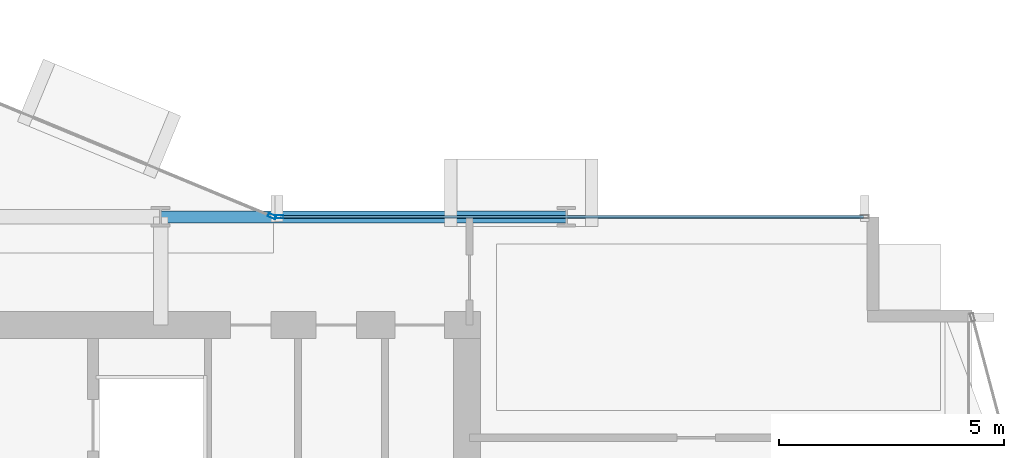
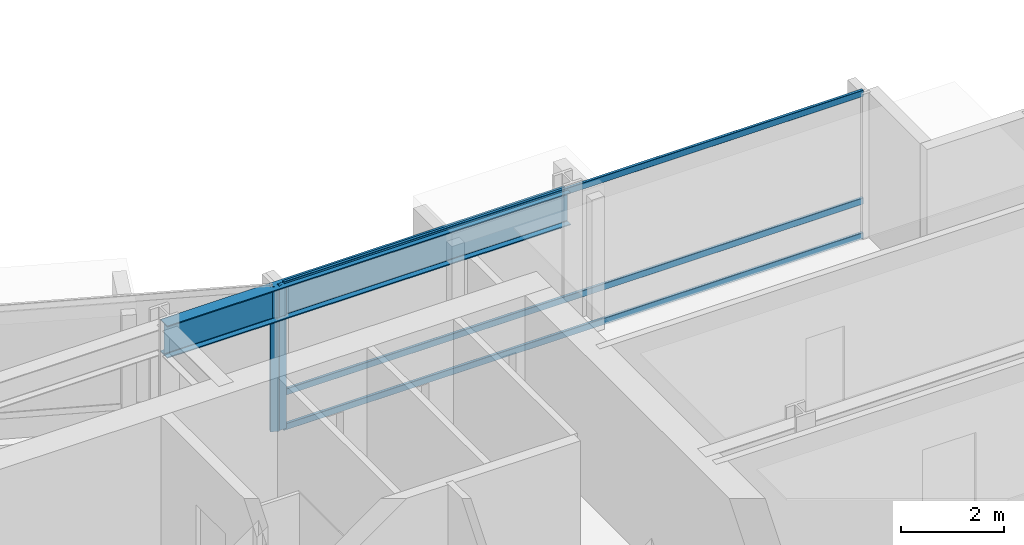
# One storey, part 13 of 29: 5 members, 1 beam, 2 elements without a shape of their own.
"""IFC4 building model written with IfcOpenShell, lengths in metres."""

from ifc_helpers import new_model, si_unit, direction, frame, origin, origin_2d, place, context, subcontext, project, spatial, hollow_rectangle, i_section, extrude, material, layer, layer_set, material_profile, profile_set, type_object, element, aggregate, save


model = new_model("IFC4")

# Units and contexts
model_context = context("Model", 3, precision=1e-05, world=origin(), true_north=direction((0.0, 1.0)))
body_context = subcontext(model_context, "Body", "Model", "MODEL_VIEW")
ifc_project = project(units=[si_unit("LENGTHUNIT", "METRE"), si_unit("AREAUNIT", "SQUARE_METRE"), si_unit("VOLUMEUNIT", "CUBIC_METRE"), si_unit("PLANEANGLEUNIT", "RADIAN"), si_unit("MASSUNIT", "GRAM", prefix="KILO")], contexts=[model_context])

# Site, building, storey
site_placement = place(None, origin())
site = spatial("IfcSite", under=ifc_project, at=site_placement, CompositionType="ELEMENT")
building_placement = place(site_placement, origin())
building = spatial("IfcBuilding", under=site, at=building_placement, Name="Solvaryn Broadcast Tower", CompositionType="ELEMENT")
storey_placement = place(building_placement, frame((0.0, 0.0, 124.800048828125)))
storey = spatial("IfcBuildingStorey", under=building, at=storey_placement, Name="L30", CompositionType="ELEMENT", Elevation=124.800048828125)

# Beam
ifc_material_1 = material(Name="Steel ASTM A992 Grade 50", Category="steel")
ifc_material_profile_1 = material_profile(ifc_material_1, i_section(OverallWidth=0.26708984375, OverallDepth=0.76611328125, WebThickness=0.014892578125, FlangeThickness=0.023681640625, FilletRadius=0.01806640625, at=origin_2d()))
ifc_profile_set_1 = profile_set([ifc_material_profile_1], Name="Steel ASTM A992 Grade 50")
beam_type = type_object("IfcBeamType", Name="BM-SP2-W30X124", PredefinedType="USERDEFINED", material=ifc_profile_set_1)
beam_placement = place(storey_placement, frame((36.0, 27.0, 3.036865234375), z_axis=(1.0, 0.0, 0.0), x_axis=(0.0, 1.0, 0.0)))
element("IfcBeam", 1, at=beam_placement, inside=storey, type_object=beam_type, Name="L30 Spandrel Beam X (36-45 @ Y=27)", ObjectType="SPANDREL", PredefinedType="USERDEFINED", context=body_context, shape_type="SweptSolid", body=[
    extrude(i_section(OverallWidth=0.26708984375, OverallDepth=0.76611328125, WebThickness=0.014892578125, FlangeThickness=0.023681640625, FilletRadius=0.01806640625, at=origin_2d()), origin(), (0.0, 0.0, 1.0), 9.0),
])

# Curtain wall, member
ifc_material_2 = material(Name="Aluminium and Terracotta Unitised Curtain Wall", Category="masonry")
ifc_layer = layer(ifc_material_2, 0.199951171875)
ifc_layer_set = layer_set([ifc_layer], Name="CW-SYS2-LOWMID")
curtain_wall_type = type_object("IfcCurtainWallType", Name="CW-SYS2-LOWMID", PredefinedType="NOTDEFINED", material=ifc_layer_set)
curtain_wall_1_placement = place(storey_placement, origin())
curtain_wall_1 = element("IfcCurtainWall", 2, at=curtain_wall_1_placement, inside=storey, type_object=curtain_wall_type, Name="L30 Curtain Wall CN1", PredefinedType="NOTDEFINED")
ifc_material_3 = material(Name="Anodised Aluminium 6063-T6", Category="aluminium")
ifc_material_profile_2 = material_profile(ifc_material_3, hollow_rectangle(XDim=0.074951171875, YDim=0.179931640625, WallThickness=0.00390625, InnerFilletRadius=0.00390625, OuterFilletRadius=0.008056640625, at=origin_2d()))
ifc_profile_set_2 = profile_set([ifc_material_profile_2], Name="Anodised Aluminium 6063-T6")
member_type_1 = type_object("IfcMemberType", Name="CW-MUL-180", PredefinedType="MULLION", material=ifc_profile_set_2)
member_1_placement = place(storey_placement, frame((38.47216796875, 27.011474609375, 0.0), z_axis=(0.0, 0.0, 1.0), x_axis=(-0.382646127145, -0.923894983957, 0.0)))
member_1 = element("IfcMember", 3, at=member_1_placement, type_object=member_type_1, Name="CWS2 mullion 1", PredefinedType="MULLION", context=body_context, shape_type="SweptSolid", body=[
    extrude(hollow_rectangle(XDim=0.074951171875, YDim=0.179931640625, WallThickness=0.00390625, InnerFilletRadius=0.00390625, OuterFilletRadius=0.008056640625, at=origin_2d()), origin(), (0.0, 0.0, 1.0), 3.419921875),
])
aggregate(curtain_wall_1, [member_1])

# Curtain wall, members
curtain_wall_2_placement = place(storey_placement, origin())
curtain_wall_2 = element("IfcCurtainWall", 4, at=curtain_wall_2_placement, inside=storey, type_object=curtain_wall_type, Name="L30 Curtain Wall IH", PredefinedType="NOTDEFINED")
member_2_placement = place(storey_placement, frame((38.6298828125, 27.0, 0.0), z_axis=(0.0, 0.0, 1.0), x_axis=(0.0, 1.0, 0.0)))
member_2 = element("IfcMember", 5, at=member_2_placement, type_object=member_type_1, Name="CWS2 mullion 1", PredefinedType="MULLION", context=body_context, shape_type="SweptSolid", body=[
    extrude(hollow_rectangle(XDim=0.074951171875, YDim=0.179931640625, WallThickness=0.00390625, InnerFilletRadius=0.00390625, OuterFilletRadius=0.008056640625, at=origin_2d()), origin(), (0.0, 0.0, 1.0), 3.419921875),
])
ifc_material_4 = material(Name="Anodised Aluminium 6063-T6", Category="aluminium")
ifc_material_profile_3 = material_profile(ifc_material_4, hollow_rectangle(XDim=0.06494140625, YDim=0.14990234375, WallThickness=0.00390625, InnerFilletRadius=0.00390625, OuterFilletRadius=0.008056640625, at=origin_2d()))
ifc_profile_set_3 = profile_set([ifc_material_profile_3], Name="Anodised Aluminium 6063-T6")
member_type_2 = type_object("IfcMemberType", Name="CW-TRN-150", PredefinedType="USERDEFINED", material=ifc_profile_set_3)
member_3_placement = place(storey_placement, frame((38.659912109375, 27.0, 0.030029296875), z_axis=(1.0, 0.0, 0.0), x_axis=(0.0, 1.0, 0.0)))
member_3 = element("IfcMember", 6, at=member_3_placement, type_object=member_type_2, Name="CWS2 transom 1.1", ObjectType="TRANSOM", PredefinedType="USERDEFINED", context=body_context, shape_type="SweptSolid", body=[
    extrude(hollow_rectangle(XDim=0.06494140625, YDim=0.14990234375, WallThickness=0.00390625, InnerFilletRadius=0.00390625, OuterFilletRadius=0.008056640625, at=origin_2d()), origin(), (0.0, 0.0, 1.0), 12.93017578125),
])
member_4_placement = place(storey_placement, frame((38.659912109375, 27.0, 0.849853515625), z_axis=(1.0, 0.0, 0.0), x_axis=(0.0, 1.0, 0.0)))
member_4 = element("IfcMember", 7, at=member_4_placement, type_object=member_type_2, Name="CWS2 transom 1.2", ObjectType="TRANSOM", PredefinedType="USERDEFINED", context=body_context, shape_type="SweptSolid", body=[
    extrude(hollow_rectangle(XDim=0.06494140625, YDim=0.14990234375, WallThickness=0.00390625, InnerFilletRadius=0.00390625, OuterFilletRadius=0.008056640625, at=origin_2d()), origin(), (0.0, 0.0, 1.0), 12.93017578125),
])
member_5_placement = place(storey_placement, frame((38.659912109375, 27.0, 3.389892578125), z_axis=(1.0, 0.0, 0.0), x_axis=(0.0, 1.0, 0.0)))
member_5 = element("IfcMember", 8, at=member_5_placement, type_object=member_type_2, Name="CWS2 transom 1.3", ObjectType="TRANSOM", PredefinedType="USERDEFINED", context=body_context, shape_type="SweptSolid", body=[
    extrude(hollow_rectangle(XDim=0.06494140625, YDim=0.14990234375, WallThickness=0.00390625, InnerFilletRadius=0.00390625, OuterFilletRadius=0.008056640625, at=origin_2d()), origin(), (0.0, 0.0, 1.0), 12.93017578125),
])
aggregate(curtain_wall_2, [member_2, member_3, member_4, member_5])

save(model, "model.ifc")
